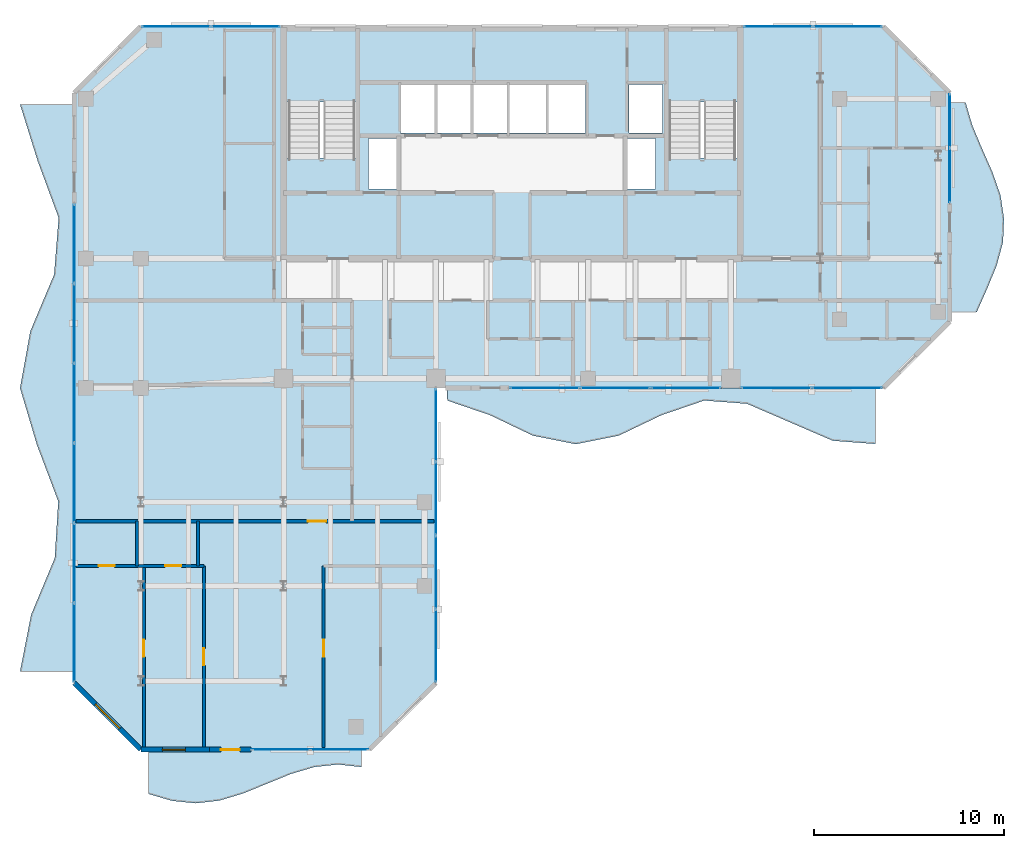
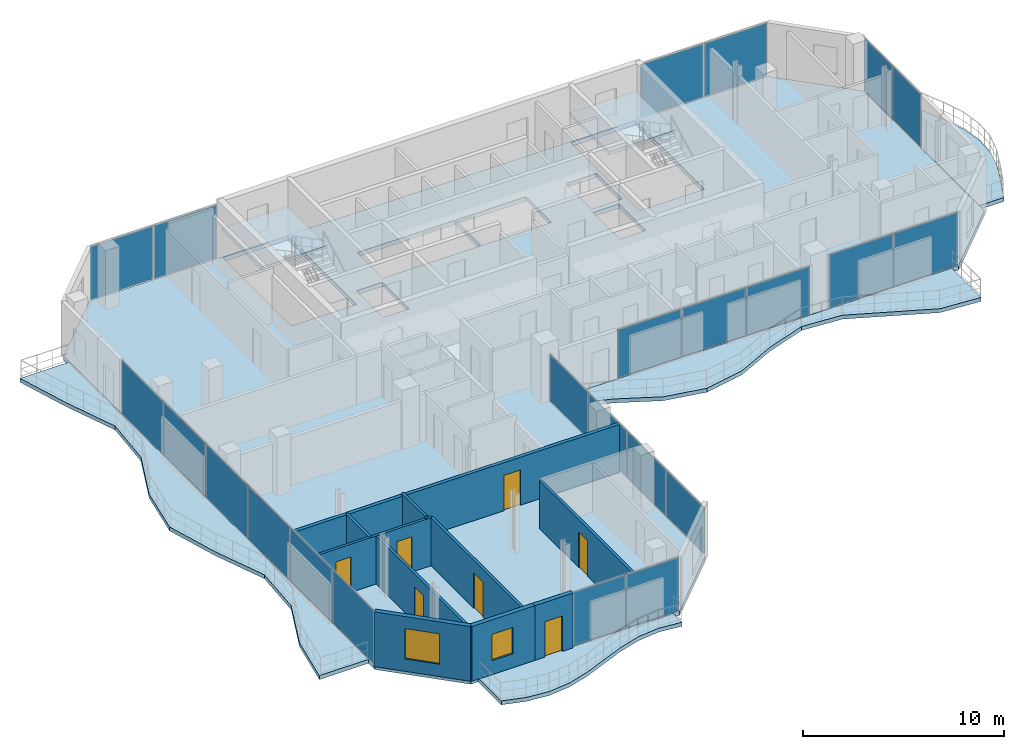
# One storey, part 17 of 23: 23 plates, 10 walls, 7 doors, 7 slabs, 2 windows, 9 openings, 10 elements without a shape of their own.
"""IFC4 building model written with IfcOpenShell, lengths in metres."""

from ifc_helpers import new_model, si_unit, direction, frame, frame_2d, origin, origin_2d, place, context, subcontext, project, spatial, polyline, rectangle, outline, extrude, material, layer, layer_set, type_object, element, fill, aggregate, save


model = new_model("IFC4")

# Units and contexts
model_context = context("Model", 3, precision=1e-05, world=origin(), true_north=direction((0.0, 1.0)))
body_context = subcontext(model_context, "Body", "Model", "MODEL_VIEW")
ifc_project = project(units=[si_unit("LENGTHUNIT", "METRE"), si_unit("AREAUNIT", "SQUARE_METRE"), si_unit("VOLUMEUNIT", "CUBIC_METRE"), si_unit("PLANEANGLEUNIT", "RADIAN"), si_unit("MASSUNIT", "GRAM", prefix="KILO")], contexts=[model_context])

# Site, building, storey
site_placement = place(None, origin())
site = spatial("IfcSite", under=ifc_project, at=site_placement, CompositionType="ELEMENT")
building_placement = place(site_placement, origin())
building = spatial("IfcBuilding", under=site, at=building_placement, Name="Catumbela Crestline Tower", CompositionType="ELEMENT")
storey_placement = place(building_placement, frame((0.0, 0.0, 183.0)))
storey = spatial("IfcBuildingStorey", under=building, at=storey_placement, Name="L47", CompositionType="ELEMENT", Elevation=183.0)

# Curtain wall, plates
ifc_material_1 = material(Name="Aluminium alloy AW-6060-T66", Category="aluminium")
ifc_layer_1 = layer(ifc_material_1, 0.18, Name="Aluminium alloy AW-6060-T66")
ifc_layer_set_1 = layer_set([ifc_layer_1], Name="Aluminium alloy AW-6060-T66")
curtain_wall_type = type_object("IfcCurtainWallType", Name="CWU-Z3", PredefinedType="USERDEFINED", material=ifc_layer_set_1)
curtain_wall_1_placement = place(storey_placement, origin())
curtain_wall_1 = element("IfcCurtainWall", 1, at=curtain_wall_1_placement, inside=storey, type_object=curtain_wall_type, Name="L47 Unitised Curtain Wall CW-L47-E0S2", ObjectType="UNITISED", PredefinedType="USERDEFINED")
ifc_material_2 = material(Name="Low-E laminated solar-control double glazing", Category="glass")
ifc_layer_2 = layer(ifc_material_2, 0.036, Name="Low-E laminated solar-control double glazing")
ifc_layer_set_2 = layer_set([ifc_layer_2], Name="Low-E laminated solar-control double glazing")
plate_type = type_object("IfcPlateType", Name="PNL-GLZ-Z3", PredefinedType="CURTAIN_PANEL", material=ifc_layer_set_2)
plate_1_placement = place(storey_placement, frame((15.8662, 5.0, 0.06), z_axis=(0.0, 0.0, 1.0), x_axis=(1.0, 0.0, 0.0)))
plate_1 = element("IfcPlate", 2, at=plate_1_placement, type_object=plate_type, Name="CWU-Z3 panel 1.1", PredefinedType="CURTAIN_PANEL", context=body_context, shape_type="SweptSolid", body=[
    extrude(rectangle(XDim=3.0025, YDim=0.034, at=origin_2d()), origin(), (0.0, 0.0, 1.0), 3.21),
])
plate_2_placement = place(storey_placement, frame((18.9338, 5.0, 0.06), z_axis=(0.0, 0.0, 1.0), x_axis=(1.0, 0.0, 0.0)))
plate_2 = element("IfcPlate", 3, at=plate_2_placement, type_object=plate_type, Name="CWU-Z3 panel 2.1", PredefinedType="CURTAIN_PANEL", context=body_context, shape_type="SweptSolid", body=[
    extrude(rectangle(XDim=3.0025, YDim=0.034, at=origin_2d()), origin(), (0.0, 0.0, 1.0), 3.21),
])
aggregate(curtain_wall_1, [plate_1, plate_2])

curtain_wall_2_placement = place(storey_placement, origin())
curtain_wall_2 = element("IfcCurtainWall", 4, at=curtain_wall_2_placement, inside=storey, type_object=curtain_wall_type, Name="L47 Unitised Curtain Wall CW-L47-E2S1", ObjectType="UNITISED", PredefinedType="USERDEFINED")
plate_3_placement = place(storey_placement, frame((24.0, 10.4538, 0.06), z_axis=(0.0, 0.0, 1.0), x_axis=(0.0, 1.0, 0.0)))
plate_3 = element("IfcPlate", 5, at=plate_3_placement, type_object=plate_type, Name="CWU-Z3 panel 1.1", PredefinedType="CURTAIN_PANEL", context=body_context, shape_type="SweptSolid", body=[
    extrude(rectangle(XDim=3.7775, YDim=0.034, at=origin_2d()), origin(), (0.0, 0.0, 1.0), 2.8),
])
plate_4_placement = place(storey_placement, frame((24.0, 14.3125, 0.06), z_axis=(0.0, 0.0, 1.0), x_axis=(0.0, 1.0, 0.0)))
plate_4 = element("IfcPlate", 6, at=plate_4_placement, type_object=plate_type, Name="CWU-Z3 panel 2.1", PredefinedType="CURTAIN_PANEL", context=body_context, shape_type="SweptSolid", body=[
    extrude(rectangle(XDim=3.81, YDim=0.034, at=origin_2d()), origin(), (0.0, 0.0, 1.0), 2.8),
])
plate_5_placement = place(storey_placement, frame((24.0, 18.1875, 0.06), z_axis=(0.0, 0.0, 1.0), x_axis=(0.0, 1.0, 0.0)))
plate_5 = element("IfcPlate", 7, at=plate_5_placement, type_object=plate_type, Name="CWU-Z3 panel 3.1", PredefinedType="CURTAIN_PANEL", context=body_context, shape_type="SweptSolid", body=[
    extrude(rectangle(XDim=3.81, YDim=0.034, at=origin_2d()), origin(), (0.0, 0.0, 1.0), 2.8),
])
plate_6_placement = place(storey_placement, frame((24.0, 22.0462, 0.06), z_axis=(0.0, 0.0, 1.0), x_axis=(0.0, 1.0, 0.0)))
plate_6 = element("IfcPlate", 8, at=plate_6_placement, type_object=plate_type, Name="CWU-Z3 panel 4.1", PredefinedType="CURTAIN_PANEL", context=body_context, shape_type="SweptSolid", body=[
    extrude(rectangle(XDim=3.7775, YDim=0.034, at=origin_2d()), origin(), (0.0, 0.0, 1.0), 2.8),
])
aggregate(curtain_wall_2, [plate_3, plate_4, plate_5, plate_6])

curtain_wall_3_placement = place(storey_placement, origin())
curtain_wall_3 = element("IfcCurtainWall", 9, at=curtain_wall_3_placement, inside=storey, type_object=curtain_wall_type, Name="L47 Unitised Curtain Wall CW-L47-E3S2", ObjectType="UNITISED", PredefinedType="USERDEFINED")
plate_7_placement = place(storey_placement, frame((29.7246, 24.0, 0.06), z_axis=(0.0, 0.0, 1.0), x_axis=(1.0, 0.0, 0.0)))
plate_7 = element("IfcPlate", 10, at=plate_7_placement, type_object=plate_type, Name="CWU-Z3 panel 1.1", PredefinedType="CURTAIN_PANEL", context=body_context, shape_type="SweptSolid", body=[
    extrude(rectangle(XDim=3.6192, YDim=0.034, at=origin_2d()), origin(), (0.0, 0.0, 1.0), 2.9),
])
plate_8_placement = place(storey_placement, frame((33.425, 24.0, 0.06), z_axis=(0.0, 0.0, 1.0), x_axis=(1.0, 0.0, 0.0)))
plate_8 = element("IfcPlate", 11, at=plate_8_placement, type_object=plate_type, Name="CWU-Z3 panel 2.1", PredefinedType="CURTAIN_PANEL", context=body_context, shape_type="SweptSolid", body=[
    extrude(rectangle(XDim=3.6517, YDim=0.034, at=origin_2d()), origin(), (0.0, 0.0, 1.0), 2.9),
])
plate_9_placement = place(storey_placement, frame((37.1254, 24.0, 0.06), z_axis=(0.0, 0.0, 1.0), x_axis=(1.0, 0.0, 0.0)))
plate_9 = element("IfcPlate", 12, at=plate_9_placement, type_object=plate_type, Name="CWU-Z3 panel 3.1", PredefinedType="CURTAIN_PANEL", context=body_context, shape_type="SweptSolid", body=[
    extrude(rectangle(XDim=3.6192, YDim=0.034, at=origin_2d()), origin(), (0.0, 0.0, 1.0), 2.9),
])
aggregate(curtain_wall_3, [plate_7, plate_8, plate_9])

curtain_wall_4_placement = place(storey_placement, origin())
curtain_wall_4 = element("IfcCurtainWall", 13, at=curtain_wall_4_placement, inside=storey, type_object=curtain_wall_type, Name="L47 Unitised Curtain Wall CW-L47-E3S3", ObjectType="UNITISED", PredefinedType="USERDEFINED")
plate_10_placement = place(storey_placement, frame((41.8912, 24.0, 0.06), z_axis=(0.0, 0.0, 1.0), x_axis=(1.0, 0.0, 0.0)))
plate_10 = element("IfcPlate", 14, at=plate_10_placement, type_object=plate_type, Name="CWU-Z3 panel 1.1", PredefinedType="CURTAIN_PANEL", context=body_context, shape_type="SweptSolid", body=[
    extrude(rectangle(XDim=3.6525, YDim=0.034, at=origin_2d()), origin(), (0.0, 0.0, 1.0), 3.21),
])
plate_11_placement = place(storey_placement, frame((45.6088, 24.0, 0.06), z_axis=(0.0, 0.0, 1.0), x_axis=(1.0, 0.0, 0.0)))
plate_11 = element("IfcPlate", 15, at=plate_11_placement, type_object=plate_type, Name="CWU-Z3 panel 2.1", PredefinedType="CURTAIN_PANEL", context=body_context, shape_type="SweptSolid", body=[
    extrude(rectangle(XDim=3.6525, YDim=0.034, at=origin_2d()), origin(), (0.0, 0.0, 1.0), 3.21),
])
aggregate(curtain_wall_4, [plate_10, plate_11])

curtain_wall_5_placement = place(storey_placement, origin())
curtain_wall_5 = element("IfcCurtainWall", 16, at=curtain_wall_5_placement, inside=storey, type_object=curtain_wall_type, Name="L47 Unitised Curtain Wall CW-L47-E5S2", ObjectType="UNITISED", PredefinedType="USERDEFINED")
plate_12_placement = place(storey_placement, frame((51.0, 35.1662, 0.06), z_axis=(0.0, 0.0, 1.0), x_axis=(0.0, 1.0, 0.0)))
plate_12 = element("IfcPlate", 17, at=plate_12_placement, type_object=plate_type, Name="CWU-Z3 panel 1.1", PredefinedType="CURTAIN_PANEL", context=body_context, shape_type="SweptSolid", body=[
    extrude(rectangle(XDim=2.8025, YDim=0.034, at=origin_2d()), origin(), (0.0, 0.0, 1.0), 3.21),
])
plate_13_placement = place(storey_placement, frame((51.0, 38.0338, 0.06), z_axis=(0.0, 0.0, 1.0), x_axis=(0.0, 1.0, 0.0)))
plate_13 = element("IfcPlate", 18, at=plate_13_placement, type_object=plate_type, Name="CWU-Z3 panel 2.1", PredefinedType="CURTAIN_PANEL", context=body_context, shape_type="SweptSolid", body=[
    extrude(rectangle(XDim=2.8025, YDim=0.034, at=origin_2d()), origin(), (0.0, 0.0, 1.0), 3.21),
])
aggregate(curtain_wall_5, [plate_12, plate_13])

curtain_wall_6_placement = place(storey_placement, origin())
curtain_wall_6 = element("IfcCurtainWall", 19, at=curtain_wall_6_placement, inside=storey, type_object=curtain_wall_type, Name="L47 Unitised Curtain Wall CW-L47-E7S1", ObjectType="UNITISED", PredefinedType="USERDEFINED")
plate_14_placement = place(storey_placement, frame((45.6438, 43.0, 0.06), z_axis=(0.0, 0.0, 1.0), x_axis=(-1.0, 0.0, 0.0)))
plate_14 = element("IfcPlate", 20, at=plate_14_placement, type_object=plate_type, Name="CWU-Z3 panel 1.1", PredefinedType="CURTAIN_PANEL", context=body_context, shape_type="SweptSolid", body=[
    extrude(rectangle(XDim=3.5825, YDim=0.034, at=origin_2d()), origin(), (0.0, 0.0, 1.0), 3.21),
])
plate_15_placement = place(storey_placement, frame((41.9963, 43.0, 0.06), z_axis=(0.0, 0.0, 1.0), x_axis=(-1.0, 0.0, 0.0)))
plate_15 = element("IfcPlate", 21, at=plate_15_placement, type_object=plate_type, Name="CWU-Z3 panel 2.1", PredefinedType="CURTAIN_PANEL", context=body_context, shape_type="SweptSolid", body=[
    extrude(rectangle(XDim=3.5825, YDim=0.034, at=origin_2d()), origin(), (0.0, 0.0, 1.0), 3.21),
])
aggregate(curtain_wall_6, [plate_14, plate_15])

curtain_wall_7_placement = place(storey_placement, origin())
curtain_wall_7 = element("IfcCurtainWall", 22, at=curtain_wall_7_placement, inside=storey, type_object=curtain_wall_type, Name="L47 Unitised Curtain Wall CW-L47-E7S2", ObjectType="UNITISED", PredefinedType="USERDEFINED")
plate_16_placement = place(storey_placement, frame((14.0038, 43.0, 0.06), z_axis=(0.0, 0.0, 1.0), x_axis=(-1.0, 0.0, 0.0)))
plate_16 = element("IfcPlate", 23, at=plate_16_placement, type_object=plate_type, Name="CWU-Z3 panel 1.1", PredefinedType="CURTAIN_PANEL", context=body_context, shape_type="SweptSolid", body=[
    extrude(rectangle(XDim=3.5825, YDim=0.034, at=origin_2d()), origin(), (0.0, 0.0, 1.0), 3.21),
])
plate_17_placement = place(storey_placement, frame((10.3562, 43.0, 0.06), z_axis=(0.0, 0.0, 1.0), x_axis=(-1.0, 0.0, 0.0)))
plate_17 = element("IfcPlate", 24, at=plate_17_placement, type_object=plate_type, Name="CWU-Z3 panel 2.1", PredefinedType="CURTAIN_PANEL", context=body_context, shape_type="SweptSolid", body=[
    extrude(rectangle(XDim=3.5825, YDim=0.034, at=origin_2d()), origin(), (0.0, 0.0, 1.0), 3.21),
])
aggregate(curtain_wall_7, [plate_16, plate_17])

curtain_wall_8_placement = place(storey_placement, origin())
curtain_wall_8 = element("IfcCurtainWall", 25, at=curtain_wall_8_placement, inside=storey, type_object=curtain_wall_type, Name="L47 Unitised Curtain Wall CW-L47-E9S2", ObjectType="UNITISED", PredefinedType="USERDEFINED")
plate_18_placement = place(storey_placement, frame((5.0, 31.5838, 0.06), z_axis=(0.0, 0.0, 1.0), x_axis=(0.0, -1.0, 0.0)))
plate_18 = element("IfcPlate", 26, at=plate_18_placement, type_object=plate_type, Name="CWU-Z3 panel 1.1", PredefinedType="CURTAIN_PANEL", context=body_context, shape_type="SweptSolid", body=[
    extrude(rectangle(XDim=4.1025, YDim=0.034, at=origin_2d()), origin(), (0.0, 0.0, 1.0), 3.21),
])
plate_19_placement = place(storey_placement, frame((5.0, 27.4, 0.06), z_axis=(0.0, 0.0, 1.0), x_axis=(0.0, -1.0, 0.0)))
plate_19 = element("IfcPlate", 27, at=plate_19_placement, type_object=plate_type, Name="CWU-Z3 panel 2.1", PredefinedType="CURTAIN_PANEL", context=body_context, shape_type="SweptSolid", body=[
    extrude(rectangle(XDim=4.135, YDim=0.034, at=origin_2d()), origin(), (0.0, 0.0, 1.0), 3.21),
])
plate_20_placement = place(storey_placement, frame((5.0, 23.2, 0.06), z_axis=(0.0, 0.0, 1.0), x_axis=(0.0, -1.0, 0.0)))
plate_20 = element("IfcPlate", 28, at=plate_20_placement, type_object=plate_type, Name="CWU-Z3 panel 3.1", PredefinedType="CURTAIN_PANEL", context=body_context, shape_type="SweptSolid", body=[
    extrude(rectangle(XDim=4.135, YDim=0.034, at=origin_2d()), origin(), (0.0, 0.0, 1.0), 3.21),
])
plate_21_placement = place(storey_placement, frame((5.0, 19.0, 0.06), z_axis=(0.0, 0.0, 1.0), x_axis=(0.0, -1.0, 0.0)))
plate_21 = element("IfcPlate", 29, at=plate_21_placement, type_object=plate_type, Name="CWU-Z3 panel 4.1", PredefinedType="CURTAIN_PANEL", context=body_context, shape_type="SweptSolid", body=[
    extrude(rectangle(XDim=4.135, YDim=0.034, at=origin_2d()), origin(), (0.0, 0.0, 1.0), 3.21),
])
plate_22_placement = place(storey_placement, frame((5.0, 14.8, 0.06), z_axis=(0.0, 0.0, 1.0), x_axis=(0.0, -1.0, 0.0)))
plate_22 = element("IfcPlate", 30, at=plate_22_placement, type_object=plate_type, Name="CWU-Z3 panel 5.1", PredefinedType="CURTAIN_PANEL", context=body_context, shape_type="SweptSolid", body=[
    extrude(rectangle(XDim=4.135, YDim=0.034, at=origin_2d()), origin(), (0.0, 0.0, 1.0), 3.21),
])
plate_23_placement = place(storey_placement, frame((5.0, 10.6163, 0.06), z_axis=(0.0, 0.0, 1.0), x_axis=(0.0, -1.0, 0.0)))
plate_23 = element("IfcPlate", 31, at=plate_23_placement, type_object=plate_type, Name="CWU-Z3 panel 6.1", PredefinedType="CURTAIN_PANEL", context=body_context, shape_type="SweptSolid", body=[
    extrude(rectangle(XDim=4.1025, YDim=0.034, at=origin_2d()), origin(), (0.0, 0.0, 1.0), 3.21),
])
aggregate(curtain_wall_8, [plate_18, plate_19, plate_20, plate_21, plate_22, plate_23])

# Stair, slab
ifc_material_3 = material(Name="Concrete C45/55", Category="concrete")
stair_type = type_object("IfcStairType", Name="ST-DLG", PredefinedType="HALF_TURN_STAIR", material=ifc_material_3)
stair_1_placement = place(storey_placement, origin())
stair_1 = element("IfcStair", 32, at=stair_1_placement, inside=storey, type_object=stair_type, Name="L47 West Core Pressurised Exit Stair ST-01", PredefinedType="HALF_TURN_STAIR")
ifc_layer_3 = layer(ifc_material_3, 0.2, Name="Concrete C45/55")
ifc_layer_set_3 = layer_set([ifc_layer_3], Name="Concrete C45/55")
slab_type_1 = type_object("IfcSlabType", Name="SL-LND", PredefinedType="LANDING", material=ifc_layer_set_3)
slab_1_placement = place(storey_placement, frame((0.0, 0.0, 1.6)))
slab_1 = element("IfcSlab", 33, at=slab_1_placement, type_object=slab_type_1, Name="ST-01 landing 1", PredefinedType="LANDING", context=body_context, shape_type="SweptSolid", body=[
    extrude(outline(polyline([(19.91, 39.02), (19.91, 42.96), (16.09, 42.96), (16.09, 39.02), (19.91, 39.02)])), origin(), (0.0, 0.0, 1.0), 0.2),
])
aggregate(stair_1, [slab_1])

stair_2_placement = place(storey_placement, origin())
stair_2 = element("IfcStair", 34, at=stair_2_placement, inside=storey, type_object=stair_type, Name="L47 East Core Pressurised Exit Stair ST-02", PredefinedType="HALF_TURN_STAIR")
slab_2_placement = place(storey_placement, frame((0.0, 0.0, 1.6)))
slab_2 = element("IfcSlab", 35, at=slab_2_placement, type_object=slab_type_1, Name="ST-02 landing 1", PredefinedType="LANDING", context=body_context, shape_type="SweptSolid", body=[
    extrude(outline(polyline([(39.91, 39.02), (39.91, 42.96), (36.09, 42.96), (36.09, 39.02), (39.91, 39.02)])), origin(), (0.0, 0.0, 1.0), 0.2),
])
aggregate(stair_2, [slab_2])

# Slabs
ifc_layer_4 = layer(ifc_material_3, 0.26, Name="Concrete C45/55")
ifc_layer_set_4 = layer_set([ifc_layer_4], Name="Concrete C45/55")
slab_type_2 = type_object("IfcSlabType", Name="SL-260", PredefinedType="FLOOR", material=ifc_layer_set_4)
slab_3_placement = place(storey_placement, frame((0.0, 0.0, -0.26)))
element("IfcSlab", 36, at=slab_3_placement, inside=storey, type_object=slab_type_2, Name="L47 Structural Floor Slab", PredefinedType="FLOOR", context=body_context, shape_type="SweptSolid", body=[
    extrude(outline(polyline([(8.5, 5.0), (20.5, 5.0), (24.0, 8.5), (24.0, 24.0), (47.5, 24.0), (51.0, 27.5), (51.0, 39.5), (47.5, 43.0), (8.5, 43.0), (5.0, 39.5), (5.0, 8.5), (8.5, 5.0)]), holes=[polyline([(16.13, 36.08), (19.87, 36.08), (19.87, 42.92), (16.13, 42.92), (16.13, 36.08)]), polyline([(36.13, 36.08), (39.87, 36.08), (39.87, 42.92), (36.13, 42.92), (36.13, 36.08)]), polyline([(22.15, 37.4), (27.75, 37.4), (27.75, 39.95), (22.15, 39.95), (22.15, 37.4)]), polyline([(27.85, 37.4), (31.85, 37.4), (31.85, 39.95), (27.85, 39.95), (27.85, 37.4)]), polyline([(20.45, 34.45), (21.95, 34.45), (21.95, 37.1), (20.45, 37.1), (20.45, 34.45)]), polyline([(34.05, 34.45), (35.55, 34.45), (35.55, 37.1), (34.05, 37.1), (34.05, 34.45)]), polyline([(34.15, 37.4), (35.9, 37.4), (35.9, 39.95), (34.15, 39.95), (34.15, 37.4)])]), origin(), (0.0, 0.0, 1.0), 0.26),
])
ifc_layer_5 = layer(ifc_material_3, 0.24, Name="Concrete C45/55")
ifc_layer_set_5 = layer_set([ifc_layer_5], Name="Concrete C45/55")
slab_type_3 = type_object("IfcSlabType", Name="SB-240W", PredefinedType="USERDEFINED", material=ifc_layer_set_5)
slab_4_placement = place(storey_placement, frame((0.0, 0.0, -0.24)))
element("IfcSlab", 37, at=slab_4_placement, inside=storey, type_object=slab_type_3, Name="L47 Cantilevered Wave Balcony Slab SPINE-S", ObjectType="BALCONY", PredefinedType="USERDEFINED", context=body_context, shape_type="SweptSolid", body=[
    extrude(outline(polyline([(24.6, 23.3413), (26.85, 22.5708), (29.1, 21.4947), (31.35, 21.05), (33.6, 21.4947), (35.85, 22.5708), (38.1, 23.3413), (40.35, 23.1708), (42.6, 22.2), (44.85, 21.2292), (47.1, 21.0587), (47.1, 23.99), (24.6, 23.99), (24.6, 23.3413)])), origin(), (0.0, 0.0, 1.0), 0.24),
])
slab_5_placement = place(storey_placement, frame((0.0, 0.0, -0.24)))
element("IfcSlab", 38, at=slab_5_placement, inside=storey, type_object=slab_type_3, Name="L47 Cantilevered Wave Balcony Slab SPINE-E", ObjectType="BALCONY", PredefinedType="USERDEFINED", context=body_context, shape_type="SweptSolid", body=[
    extrude(outline(polyline([(51.01, 28.0), (52.4229, 28.0), (52.9671, 29.2222), (53.4684, 30.4444), (53.7983, 31.6667), (53.85, 32.8889), (53.6712, 34.1111), (53.2467, 35.3333), (52.7078, 36.5556), (52.1924, 37.7778), (51.8329, 39.0), (51.01, 39.0), (51.01, 28.0)])), origin(), (0.0, 0.0, 1.0), 0.24),
])
slab_6_placement = place(storey_placement, frame((0.0, 0.0, -0.24)))
element("IfcSlab", 39, at=slab_6_placement, inside=storey, type_object=slab_type_3, Name="L47 Cantilevered Wave Balcony Slab WING-S", ObjectType="BALCONY", PredefinedType="USERDEFINED", context=body_context, shape_type="SweptSolid", body=[
    extrude(outline(polyline([(8.9, 2.6726), (10.1444, 2.3079), (11.3889, 2.1801), (12.6333, 2.3232), (13.8778, 2.6993), (15.1222, 3.2083), (16.3667, 3.7151), (17.6111, 4.0851), (18.8556, 4.22), (20.1, 4.0839), (20.1, 4.99), (8.9, 4.99), (8.9, 2.6726)])), origin(), (0.0, 0.0, 1.0), 0.24),
])
slab_7_placement = place(storey_placement, frame((0.0, 0.0, -0.24)))
element("IfcSlab", 40, at=slab_7_placement, inside=storey, type_object=slab_type_3, Name="L47 Cantilevered Wave Balcony Slab WEST", ObjectType="BALCONY", PredefinedType="USERDEFINED", context=body_context, shape_type="SweptSolid", body=[
    extrude(outline(polyline([(4.99, 38.9), (2.15, 38.9), (3.08, 35.92), (4.1799, 32.94), (3.9412, 29.96), (2.69, 26.98), (2.15, 24.0), (3.0352, 21.02), (4.1601, 18.04), (3.9735, 15.06), (2.7303, 12.08), (2.15, 9.1), (4.99, 9.1), (4.99, 38.9)])), origin(), (0.0, 0.0, 1.0), 0.24),
])

# Wall, opening, door
ifc_material_4 = material(Name="Angolan grey-ochre granite", Category="masonry")
ifc_layer_6 = layer(ifc_material_4, 0.25, Name="Angolan grey-ochre granite")
ifc_layer_set_6 = layer_set([ifc_layer_6], Name="Angolan grey-ochre granite")
wall_type_1 = type_object("IfcWallType", Name="WE-250", PredefinedType="STANDARD", material=ifc_layer_set_6)
wall_1_placement = place(storey_placement, frame((12.1, 5.0, 0.0), z_axis=(0.0, 0.0, 1.0), x_axis=(1.0, 0.0, 0.0)))
wall_1 = element("IfcWall", 41, at=wall_1_placement, inside=storey, type_object=wall_type_1, Name="L47 Exterior Threshold Portal Wall DR-L47-WBAL-3", PredefinedType="STANDARD", context=body_context, shape_type="SweptSolid", body=[
    extrude(rectangle(XDim=2.2, YDim=0.25, at=frame_2d((1.1, 0.0))), origin(), (0.0, 0.0, 1.0), 3.33),
])
opening_1_placement = place(wall_1_placement, frame((0.6, 0.0, 0.0)))
opening_1 = element("IfcOpeningElement", 42, at=opening_1_placement, cuts=wall_1, Name="Opening DB-L47-3", PredefinedType="OPENING", context=body_context, shape_type="SweptSolid", body=[
    extrude(rectangle(XDim=1.0, YDim=2.15, at=frame_2d((0.5, 1.075))), frame((0.0, 0.135, 0.0), z_axis=(0.0, -1.0, 0.0), x_axis=(1.0, 0.0, 0.0)), (0.0, 0.0, 1.0), 0.27),
])
door_type_1 = type_object("IfcDoorType", Name="DB-1000", OperationType="NOTDEFINED", PredefinedType="DOOR", material=ifc_material_1)
door_1_placement = place(opening_1_placement, origin())
door_1 = element("IfcDoor", 43, at=door_1_placement, inside=storey, type_object=door_type_1, Name="L47 Wave Balcony Terrace Door 3", OperationType="SINGLE_SWING_LEFT", OverallHeight=2.15, OverallWidth=1.0, PredefinedType="DOOR", context=body_context, shape_type="SweptSolid", body=[
    extrude(rectangle(XDim=1.0, YDim=2.15, at=frame_2d((0.5, 1.075))), frame((0.0, 0.025, 0.0), z_axis=(0.0, -1.0, 0.0), x_axis=(1.0, 0.0, 0.0)), (0.0, 0.0, 1.0), 0.05),
])
fill(opening_1, door_1)

# Wall, opening, window
wall_2_placement = place(storey_placement, frame((8.5, 5.0, 0.0), z_axis=(0.0, 0.0, 1.0), x_axis=(1.0, 0.0, 0.0)))
wall_2 = element("IfcWall", 44, at=wall_2_placement, inside=storey, type_object=wall_type_1, Name="L47 Granite Punched Window Wall 0-1", PredefinedType="STANDARD", context=body_context, shape_type="SweptSolid", body=[
    extrude(rectangle(XDim=3.6, YDim=0.25, at=frame_2d((1.8, 0.0))), origin(), (0.0, 0.0, 1.0), 3.33),
])
opening_2_placement = place(wall_2_placement, frame((1.135, 0.0, 0.85)))
opening_2 = element("IfcOpeningElement", 45, at=opening_2_placement, cuts=wall_2, Name="Opening WN-02", PredefinedType="OPENING", context=body_context, shape_type="SweptSolid", body=[
    extrude(rectangle(XDim=1.2, YDim=1.6, at=frame_2d((0.6, 0.8))), frame((0.0, 0.135, 0.0), z_axis=(0.0, -1.0, 0.0), x_axis=(1.0, 0.0, 0.0)), (0.0, 0.0, 1.0), 0.27),
])
window_type_1 = type_object("IfcWindowType", Name="WO-1200", PartitioningType="SINGLE_PANEL", PredefinedType="WINDOW", material=ifc_material_2)
window_1_placement = place(opening_2_placement, origin())
window_1 = element("IfcWindow", 46, at=window_1_placement, inside=storey, type_object=window_type_1, Name="L47 Facade Vision Window 296", OverallHeight=1.6, OverallWidth=1.2, PartitioningType="SINGLE_PANEL", PredefinedType="WINDOW", context=body_context, shape_type="SweptSolid", body=[
    extrude(rectangle(XDim=1.2, YDim=1.6, at=frame_2d((0.6, 0.8))), frame((0.0, 0.03, 0.0), z_axis=(0.0, -1.0, 0.0), x_axis=(1.0, 0.0, 0.0)), (0.0, 0.0, 1.0), 0.06),
])
fill(opening_2, window_1)

wall_3_placement = place(storey_placement, frame((5.0, 8.5, 0.0), z_axis=(0.0, 0.0, 1.0), x_axis=(0.707106781187, -0.707106781187, 0.0)))
wall_3 = element("IfcWall", 47, at=wall_3_placement, inside=storey, type_object=wall_type_1, Name="L47 Granite Punched Window Wall 10-1", PredefinedType="STANDARD", context=body_context, shape_type="SweptSolid", body=[
    extrude(rectangle(XDim=4.9497, YDim=0.25, at=frame_2d((2.4748, 0.0))), origin(), (0.0, 0.0, 1.0), 3.33),
])
opening_3_placement = place(wall_3_placement, frame((1.5749, 0.0, 0.75)))
opening_3 = element("IfcOpeningElement", 48, at=opening_3_placement, cuts=wall_3, Name="Opening WN-01", PredefinedType="OPENING", context=body_context, shape_type="SweptSolid", body=[
    extrude(rectangle(XDim=1.8, YDim=1.85, at=frame_2d((0.9, 0.925))), frame((0.0, 0.135, 0.0), z_axis=(0.0, -1.0, 0.0), x_axis=(1.0, 0.0, 0.0)), (0.0, 0.0, 1.0), 0.27),
])
window_type_2 = type_object("IfcWindowType", Name="WF-1800", PartitioningType="SINGLE_PANEL", PredefinedType="WINDOW", material=ifc_material_2)
window_2_placement = place(opening_3_placement, origin())
window_2 = element("IfcWindow", 49, at=window_2_placement, inside=storey, type_object=window_type_2, Name="L47 Facade Vision Window 303", OverallHeight=1.85, OverallWidth=1.8, PartitioningType="SINGLE_PANEL", PredefinedType="WINDOW", context=body_context, shape_type="SweptSolid", body=[
    extrude(rectangle(XDim=1.8, YDim=1.85, at=frame_2d((0.9, 0.925))), frame((0.0, 0.03, 0.0), z_axis=(0.0, -1.0, 0.0), x_axis=(1.0, 0.0, 0.0)), (0.0, 0.0, 1.0), 0.06),
])
fill(opening_3, window_2)

# Walls
ifc_material_5 = material(Name="Acoustic gypsum and mineral-wool partition")
ifc_layer_7 = layer(ifc_material_5, 0.15, Name="Acoustic gypsum and mineral-wool partition")
ifc_layer_set_7 = layer_set([ifc_layer_7], Name="Acoustic gypsum and mineral-wool partition")
wall_type_2 = type_object("IfcWallType", Name="WP-150", PredefinedType="PARTITIONING", material=ifc_layer_set_7)
wall_4_placement = place(storey_placement, frame((11.5, 14.65, 0.0), z_axis=(0.0, 0.0, 1.0), x_axis=(0.0, 1.0, 0.0)))
element("IfcWall", 50, at=wall_4_placement, inside=storey, type_object=wall_type_2, Name="L47 Interior Partition PW-L47-SH1-KBE", PredefinedType="PARTITIONING", context=body_context, shape_type="SweptSolid", body=[
    extrude(rectangle(XDim=2.35, YDim=0.15, at=frame_2d((1.175, 0.0))), origin(), (0.0, 0.0, 1.0), 3.07),
])
wall_5_placement = place(storey_placement, frame((8.3, 14.65, 0.0), z_axis=(0.0, 0.0, 1.0), x_axis=(0.0, 1.0, 0.0)))
element("IfcWall", 51, at=wall_5_placement, inside=storey, type_object=wall_type_2, Name="L47 Interior Partition PW-L47-SH1-KBM", PredefinedType="PARTITIONING", context=body_context, shape_type="SweptSolid", body=[
    extrude(rectangle(XDim=2.35, YDim=0.15, at=frame_2d((1.175, 0.0))), origin(), (0.0, 0.0, 1.0), 2.92),
])

# Wall, openings, doors
wall_6_placement = place(storey_placement, frame((5.1, 14.65, 0.0), z_axis=(0.0, 0.0, 1.0), x_axis=(1.0, 0.0, 0.0)))
wall_6 = element("IfcWall", 52, at=wall_6_placement, inside=storey, type_object=wall_type_2, Name="L47 Interior Partition PW-L47-SH1-KBD1", PredefinedType="PARTITIONING", context=body_context, shape_type="SweptSolid", body=[
    extrude(rectangle(XDim=6.71, YDim=0.15, at=frame_2d((3.355, 0.0))), origin(), (0.0, 0.0, 1.0), 2.92),
])
opening_4_placement = place(wall_6_placement, frame((1.175, 0.0, 0.0)))
opening_4 = element("IfcOpeningElement", 53, at=opening_4_placement, cuts=wall_6, Name="Opening DI-085", PredefinedType="OPENING", context=body_context, shape_type="SweptSolid", body=[
    extrude(rectangle(XDim=0.85, YDim=2.15, at=frame_2d((0.425, 1.075))), frame((0.0, 0.085, 0.0), z_axis=(0.0, -1.0, 0.0), x_axis=(1.0, 0.0, 0.0)), (0.0, 0.0, 1.0), 0.17),
])
opening_5_placement = place(wall_6_placement, frame((4.6795, 0.0, 0.0)))
opening_5 = element("IfcOpeningElement", 54, at=opening_5_placement, cuts=wall_6, Name="Opening DI-085", PredefinedType="OPENING", context=body_context, shape_type="SweptSolid", body=[
    extrude(rectangle(XDim=0.85, YDim=2.15, at=frame_2d((0.425, 1.075))), frame((0.0, 0.085, 0.0), z_axis=(0.0, -1.0, 0.0), x_axis=(1.0, 0.0, 0.0)), (0.0, 0.0, 1.0), 0.17),
])
door_type_2 = type_object("IfcDoorType", Name="DI-085", OperationType="NOTDEFINED", PredefinedType="DOOR", material=ifc_material_1)
door_2_placement = place(opening_4_placement, origin())
door_2 = element("IfcDoor", 55, at=door_2_placement, inside=storey, type_object=door_type_2, Name="L47 Interior Door DR-L47-SH1-KIT", OperationType="SINGLE_SWING_LEFT", OverallHeight=2.15, OverallWidth=0.85, PredefinedType="DOOR", context=body_context, shape_type="SweptSolid", body=[
    extrude(rectangle(XDim=0.85, YDim=2.15, at=frame_2d((0.425, 1.075))), frame((0.0, 0.025, 0.0), z_axis=(0.0, -1.0, 0.0), x_axis=(1.0, 0.0, 0.0)), (0.0, 0.0, 1.0), 0.05),
])
fill(opening_4, door_2)
door_3_placement = place(opening_5_placement, origin())
door_3 = element("IfcDoor", 56, at=door_3_placement, inside=storey, type_object=door_type_2, Name="L47 Interior Door DR-L47-SH1-BTH", OperationType="SINGLE_SWING_RIGHT", OverallHeight=2.15, OverallWidth=0.85, PredefinedType="DOOR", context=body_context, shape_type="SweptSolid", body=[
    extrude(rectangle(XDim=0.85, YDim=2.15, at=frame_2d((0.425, 1.075))), frame((0.0, 0.025, 0.0), z_axis=(0.0, -1.0, 0.0), x_axis=(1.0, 0.0, 0.0)), (0.0, 0.0, 1.0), 0.05),
])
fill(opening_5, door_3)

# Wall, opening, door
wall_7_placement = place(storey_placement, frame((8.66, 5.1, 0.0), z_axis=(0.0, 0.0, 1.0), x_axis=(0.0, 1.0, 0.0)))
wall_7 = element("IfcWall", 57, at=wall_7_placement, inside=storey, type_object=wall_type_2, Name="L47 Interior Partition PW-L47-SH1-BDL", PredefinedType="PARTITIONING", context=body_context, shape_type="SweptSolid", body=[
    extrude(rectangle(XDim=9.55, YDim=0.15, at=frame_2d((4.775, 0.0))), origin(), (0.0, 0.0, 1.0), 2.92),
])
opening_6_placement = place(wall_7_placement, frame((4.7789, 0.0, 0.0)))
opening_6 = element("IfcOpeningElement", 58, at=opening_6_placement, cuts=wall_7, Name="Opening DI-090", PredefinedType="OPENING", context=body_context, shape_type="SweptSolid", body=[
    extrude(rectangle(XDim=0.9, YDim=2.15, at=frame_2d((0.45, 1.075))), frame((0.0, 0.085, 0.0), z_axis=(0.0, -1.0, 0.0), x_axis=(1.0, 0.0, 0.0)), (0.0, 0.0, 1.0), 0.17),
])
door_type_3 = type_object("IfcDoorType", Name="DI-090", OperationType="NOTDEFINED", PredefinedType="DOOR", material=ifc_material_1)
door_4_placement = place(opening_6_placement, origin())
door_4 = element("IfcDoor", 59, at=door_4_placement, inside=storey, type_object=door_type_3, Name="L47 Interior Door DR-L47-SH1-BD1", OperationType="SINGLE_SWING_LEFT", OverallHeight=2.15, OverallWidth=0.9, PredefinedType="DOOR", context=body_context, shape_type="SweptSolid", body=[
    extrude(rectangle(XDim=0.9, YDim=2.15, at=frame_2d((0.45, 1.075))), frame((0.0, 0.025, 0.0), z_axis=(0.0, -1.0, 0.0), x_axis=(1.0, 0.0, 0.0)), (0.0, 0.0, 1.0), 0.05),
])
fill(opening_6, door_4)

wall_8_placement = place(storey_placement, frame((18.1, 5.1, 0.0), z_axis=(0.0, 0.0, 1.0), x_axis=(0.0, 1.0, 0.0)))
wall_8 = element("IfcWall", 60, at=wall_8_placement, inside=storey, type_object=wall_type_2, Name="L47 Interior Partition PW-L47-SH1-STW", PredefinedType="PARTITIONING", context=body_context, shape_type="SweptSolid", body=[
    extrude(rectangle(XDim=9.55, YDim=0.15, at=frame_2d((4.775, 0.0))), origin(), (0.0, 0.0, 1.0), 2.92),
])
opening_7_placement = place(wall_8_placement, frame((4.7789, 0.0, 0.0)))
opening_7 = element("IfcOpeningElement", 61, at=opening_7_placement, cuts=wall_8, Name="Opening DI-090", PredefinedType="OPENING", context=body_context, shape_type="SweptSolid", body=[
    extrude(rectangle(XDim=0.9, YDim=2.15, at=frame_2d((0.45, 1.075))), frame((0.0, 0.085, 0.0), z_axis=(0.0, -1.0, 0.0), x_axis=(1.0, 0.0, 0.0)), (0.0, 0.0, 1.0), 0.17),
])
door_5_placement = place(opening_7_placement, origin())
door_5 = element("IfcDoor", 62, at=door_5_placement, inside=storey, type_object=door_type_3, Name="L47 Interior Door DR-L47-SH1-STDY", OperationType="SINGLE_SWING_RIGHT", OverallHeight=2.15, OverallWidth=0.9, PredefinedType="DOOR", context=body_context, shape_type="SweptSolid", body=[
    extrude(rectangle(XDim=0.9, YDim=2.15, at=frame_2d((0.45, 1.075))), frame((0.0, 0.025, 0.0), z_axis=(0.0, -1.0, 0.0), x_axis=(1.0, 0.0, 0.0)), (0.0, 0.0, 1.0), 0.05),
])
fill(opening_7, door_5)

wall_9_placement = place(storey_placement, frame((11.81, 5.1, 0.0), z_axis=(0.0, 0.0, 1.0), x_axis=(0.0, 1.0, 0.0)))
wall_9 = element("IfcWall", 63, at=wall_9_placement, inside=storey, type_object=wall_type_2, Name="L47 Interior Partition PW-L47-SH1-DNW", PredefinedType="PARTITIONING", context=body_context, shape_type="SweptSolid", body=[
    extrude(rectangle(XDim=9.55, YDim=0.15, at=frame_2d((4.775, 0.0))), origin(), (0.0, 0.0, 1.0), 2.92),
])
opening_8_placement = place(wall_9_placement, frame((4.325, 0.0, 0.0)))
opening_8 = element("IfcOpeningElement", 64, at=opening_8_placement, cuts=wall_9, Name="Opening DI-090", PredefinedType="OPENING", context=body_context, shape_type="SweptSolid", body=[
    extrude(rectangle(XDim=0.9, YDim=2.15, at=frame_2d((0.45, 1.075))), frame((0.0, 0.085, 0.0), z_axis=(0.0, -1.0, 0.0), x_axis=(1.0, 0.0, 0.0)), (0.0, 0.0, 1.0), 0.17),
])
door_6_placement = place(opening_8_placement, origin())
door_6 = element("IfcDoor", 65, at=door_6_placement, inside=storey, type_object=door_type_3, Name="L47 Interior Door DR-L47-SH1-FDIN", OperationType="SINGLE_SWING_LEFT", OverallHeight=2.15, OverallWidth=0.9, PredefinedType="DOOR", context=body_context, shape_type="SweptSolid", body=[
    extrude(rectangle(XDim=0.9, YDim=2.15, at=frame_2d((0.45, 1.075))), frame((0.0, 0.025, 0.0), z_axis=(0.0, -1.0, 0.0), x_axis=(1.0, 0.0, 0.0)), (0.0, 0.0, 1.0), 0.05),
])
fill(opening_8, door_6)

ifc_layer_8 = layer(ifc_material_5, 0.2, Name="Acoustic gypsum and mineral-wool partition")
ifc_layer_set_8 = layer_set([ifc_layer_8], Name="Acoustic gypsum and mineral-wool partition")
wall_type_3 = type_object("IfcWallType", Name="WY-200", PredefinedType="PARTITIONING", material=ifc_layer_set_8)
wall_10_placement = place(storey_placement, frame((5.1, 17.0, 0.0), z_axis=(0.0, 0.0, 1.0), x_axis=(1.0, 0.0, 0.0)))
wall_10 = element("IfcWall", 66, at=wall_10_placement, inside=storey, type_object=wall_type_3, Name="L47 Interior Partition PW-L47-SH-WL", PredefinedType="PARTITIONING", context=body_context, shape_type="SweptSolid", body=[
    extrude(rectangle(XDim=18.8, YDim=0.2, at=frame_2d((9.4, 0.0))), origin(), (0.0, 0.0, 1.0), 2.92),
])
opening_9_placement = place(wall_10_placement, frame((12.1791, 0.0, 0.0)))
opening_9 = element("IfcOpeningElement", 67, at=opening_9_placement, cuts=wall_10, Name="Opening DF6-095", PredefinedType="OPENING", context=body_context, shape_type="SweptSolid", body=[
    extrude(rectangle(XDim=0.95, YDim=2.15, at=frame_2d((0.475, 1.075))), frame((0.0, 0.11, 0.0), z_axis=(0.0, -1.0, 0.0), x_axis=(1.0, 0.0, 0.0)), (0.0, 0.0, 1.0), 0.22),
])
door_type_4 = type_object("IfcDoorType", Name="DF6-095", OperationType="NOTDEFINED", PredefinedType="DOOR", material=ifc_material_1)
door_7_placement = place(opening_9_placement, origin())
door_7 = element("IfcDoor", 68, at=door_7_placement, inside=storey, type_object=door_type_4, Name="L47 Interior Door DR-L47-SH1-ENT", OperationType="SINGLE_SWING_RIGHT", OverallHeight=2.15, OverallWidth=0.95, PredefinedType="DOOR", context=body_context, shape_type="SweptSolid", body=[
    extrude(rectangle(XDim=0.95, YDim=2.15, at=frame_2d((0.475, 1.075))), frame((0.0, 0.025, 0.0), z_axis=(0.0, -1.0, 0.0), x_axis=(1.0, 0.0, 0.0)), (0.0, 0.0, 1.0), 0.05),
])
fill(opening_9, door_7)

save(model, "model.ifc")
